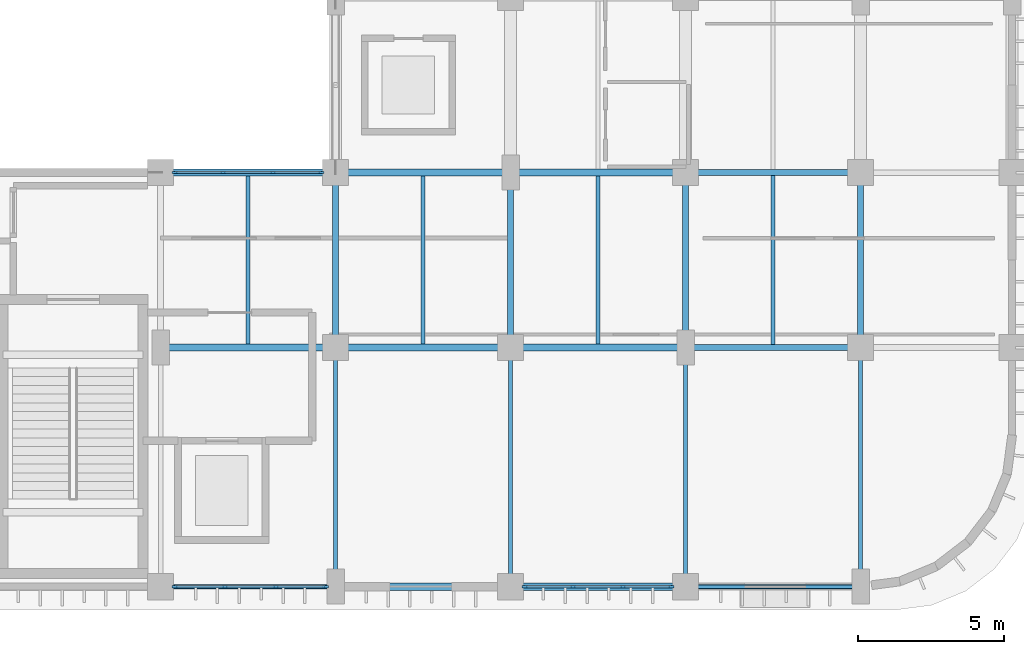
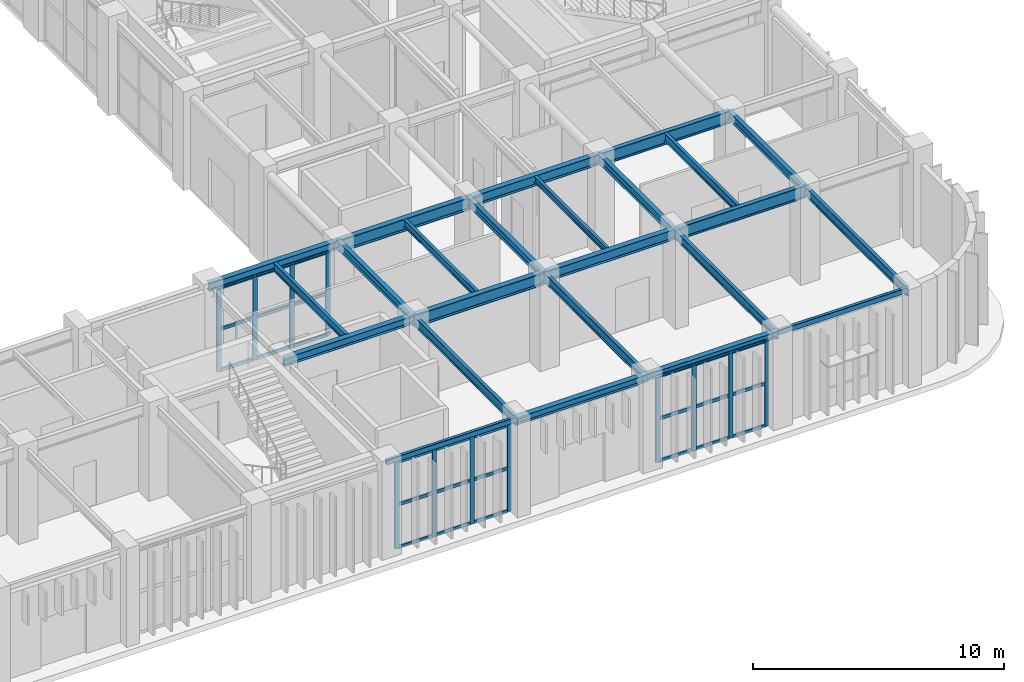
# One storey, part 29 of 76: 39 members, 24 beams, 3 elements without a shape of their own.
"""IFC4 building model written with IfcOpenShell, lengths in metres."""

from ifc_helpers import new_model, si_unit, direction, frame, origin, origin_2d, place, context, subcontext, project, spatial, rectangle, hollow_rectangle, i_section, extrude, material, material_profile, profile_set, type_object, element, aggregate, save


model = new_model("IFC4")

# Units and contexts
model_context = context("Model", 3, precision=1e-05, world=origin(), true_north=direction((0.0, 1.0)))
body_context = subcontext(model_context, "Body", "Model", "MODEL_VIEW")
ifc_project = project(units=[si_unit("LENGTHUNIT", "METRE"), si_unit("AREAUNIT", "SQUARE_METRE"), si_unit("VOLUMEUNIT", "CUBIC_METRE"), si_unit("PLANEANGLEUNIT", "RADIAN"), si_unit("MASSUNIT", "GRAM", prefix="KILO")], contexts=[model_context])

# Site, building, storey
site_placement = place(None, origin())
site = spatial("IfcSite", under=ifc_project, at=site_placement, CompositionType="ELEMENT")
building_placement = place(site_placement, origin())
building = spatial("IfcBuilding", under=site, at=building_placement, Name="Varnakota Square Police Headquarters", CompositionType="ELEMENT")
storey_placement = place(building_placement, origin())
storey = spatial("IfcBuildingStorey", under=building, at=storey_placement, Name="L00", CompositionType="ELEMENT", Elevation=0.0)

# Beams
ifc_material_1 = material(Name="Steel IS 2062 Grade 350", Category="steel")
ifc_material_profile_1 = material_profile(ifc_material_1, hollow_rectangle(XDim=0.14990234375, YDim=0.25, WallThickness=0.010009765625, InnerFilletRadius=0.010009765625, OuterFilletRadius=0.02001953125, at=origin_2d()), Name="RHS 250x150x10")
ifc_profile_set_1 = profile_set([ifc_material_profile_1], Name="Steel IS 2062 Grade 350")
beam_type_1 = type_object("IfcBeamType", Name="BM-CBEAM-RHS250", PredefinedType="BEAM", material=ifc_profile_set_1)
for number, where, z_axis, x_axis, name in (
    (1, (132.0, 0.800048828125, 4.375), (1.0, 0.0, 0.0), (0.0, 1.0, 0.0), "BMG-L00-0689"),
    (2, (150.0, 0.800048828125, 4.375), (1.0, 0.0, 0.0), (0.0, 1.0, 0.0), "BMG-L00-0692"),
):
    element("IfcBeam", number, at=place(storey_placement, frame(where, z_axis=z_axis, x_axis=x_axis)), inside=storey, type_object=beam_type_1, Name=name, PredefinedType="BEAM", context=body_context, shape_type="SweptSolid", body=[
        extrude(hollow_rectangle(XDim=0.14990234375, YDim=0.25, WallThickness=0.010009765625, InnerFilletRadius=0.010009765625, OuterFilletRadius=0.02001953125, at=origin_2d()), origin(), (0.0, 0.0, 1.0), 6.0),
    ])
ifc_material_profile_2 = material_profile(ifc_material_1, i_section(OverallWidth=0.25, OverallDepth=0.300048828125, WebThickness=0.009521484375, FlangeThickness=0.010498046875, FilletRadius=0.011962890625, at=origin_2d()), Name="ISHB 300")
ifc_profile_set_2 = profile_set([ifc_material_profile_2], Name="Steel IS 2062 Grade 350")
beam_type_2 = type_object("IfcBeamType", Name="BM-ISHB300", PredefinedType="BEAM", material=ifc_profile_set_2)
beam_1_placement = place(storey_placement, frame((144.0, 0.800048828125, 4.35009765625), z_axis=(1.0, 0.0, 0.0), x_axis=(0.0, 1.0, 0.0)))
element("IfcBeam", 3, at=beam_1_placement, inside=storey, type_object=beam_type_2, Name="BMG-L00-0691", PredefinedType="BEAM", context=body_context, shape_type="SweptSolid", body=[
    extrude(i_section(OverallWidth=0.25, OverallDepth=0.300048828125, WebThickness=0.009521484375, FlangeThickness=0.010498046875, FilletRadius=0.011962890625, at=origin_2d()), origin(), (0.0, 0.0, 1.0), 6.0),
])
ifc_material_profile_3 = material_profile(ifc_material_1, i_section(OverallWidth=0.25, OverallDepth=0.35009765625, WebThickness=0.010009765625, FlangeThickness=0.01171875, FilletRadius=0.011962890625, at=origin_2d()), Name="ISHB 350")
ifc_profile_set_3 = profile_set([ifc_material_profile_3], Name="Steel IS 2062 Grade 350")
beam_type_3 = type_object("IfcBeamType", Name="BM-ISHB350", PredefinedType="BEAM", material=ifc_profile_set_3)
beam_2_placement = place(storey_placement, frame((138.0, 0.800048828125, 4.324951171875), z_axis=(1.0, 0.0, 0.0), x_axis=(0.0, 1.0, 0.0)))
element("IfcBeam", 4, at=beam_2_placement, inside=storey, type_object=beam_type_3, Name="BMG-L00-0690", PredefinedType="BEAM", context=body_context, shape_type="SweptSolid", body=[
    extrude(i_section(OverallWidth=0.25, OverallDepth=0.35009765625, WebThickness=0.010009765625, FlangeThickness=0.01171875, FilletRadius=0.011962890625, at=origin_2d()), origin(), (0.0, 0.0, 1.0), 6.0),
])
ifc_material_profile_4 = material_profile(ifc_material_1, i_section(OverallWidth=0.25, OverallDepth=0.39990234375, WebThickness=0.010498046875, FlangeThickness=0.0126953125, FilletRadius=0.013916015625, at=origin_2d()), Name="ISHB 400")
ifc_profile_set_4 = profile_set([ifc_material_profile_4], Name="Steel IS 2062 Grade 350")
beam_type_4 = type_object("IfcBeamType", Name="BM-ISHB400", PredefinedType="BEAM", material=ifc_profile_set_4)
for number, where, z_axis, x_axis, name in (
    (5, (132.0, 9.0, 4.300048828125), (1.0, 0.0, 0.0), (0.0, 1.0, 0.0), "BMG-L00-0721"),
    (6, (132.0, 15.0, 4.300048828125), (1.0, 0.0, 0.0), (0.0, 1.0, 0.0), "BMG-L00-0738"),
):
    element("IfcBeam", number, at=place(storey_placement, frame(where, z_axis=z_axis, x_axis=x_axis)), inside=storey, type_object=beam_type_4, Name=name, PredefinedType="BEAM", context=body_context, shape_type="SweptSolid", body=[
        extrude(i_section(OverallWidth=0.25, OverallDepth=0.39990234375, WebThickness=0.010498046875, FlangeThickness=0.0126953125, FilletRadius=0.013916015625, at=origin_2d()), origin(), (0.0, 0.0, 1.0), 6.0),
    ])
ifc_material_profile_5 = material_profile(ifc_material_1, i_section(OverallWidth=0.139892578125, OverallDepth=0.300048828125, WebThickness=0.0078125, FlangeThickness=0.01318359375, FilletRadius=0.013916015625, at=origin_2d()), Name="ISMB 300")
ifc_profile_set_5 = profile_set([ifc_material_profile_5], Name="Steel IS 2062 Grade 350")
beam_type_5 = type_object("IfcBeamType", Name="BM-ISMB300", PredefinedType="JOIST", material=ifc_profile_set_5)
beam_3_placement = place(storey_placement, frame((147.0, 9.123046875, 4.35009765625), z_axis=(0.0, 1.0, 0.0), x_axis=(-1.0, 0.0, 0.0)))
element("IfcBeam", 7, at=beam_3_placement, inside=storey, type_object=beam_type_5, Name="BMG-L00-1288", PredefinedType="JOIST", context=body_context, shape_type="SweptSolid", body=[
    extrude(i_section(OverallWidth=0.139892578125, OverallDepth=0.300048828125, WebThickness=0.0078125, FlangeThickness=0.01318359375, FilletRadius=0.013916015625, at=origin_2d()), origin(), (0.0, 0.0, 1.0), 5.75390625),
])
ifc_material_profile_6 = material_profile(ifc_material_1, i_section(OverallWidth=0.139892578125, OverallDepth=0.35009765625, WebThickness=0.008056640625, FlangeThickness=0.01416015625, FilletRadius=0.013916015625, at=origin_2d()), Name="ISMB 350")
ifc_profile_set_6 = profile_set([ifc_material_profile_6], Name="Steel IS 2062 Grade 350")
beam_type_6 = type_object("IfcBeamType", Name="BM-ISMB350", PredefinedType="JOIST", material=ifc_profile_set_6)
beam_4_placement = place(storey_placement, frame((141.0, 9.123046875, 4.324951171875), z_axis=(0.0, 1.0, 0.0), x_axis=(-1.0, 0.0, 0.0)))
element("IfcBeam", 8, at=beam_4_placement, inside=storey, type_object=beam_type_6, Name="BMG-L00-1279", PredefinedType="JOIST", context=body_context, shape_type="SweptSolid", body=[
    extrude(i_section(OverallWidth=0.139892578125, OverallDepth=0.35009765625, WebThickness=0.008056640625, FlangeThickness=0.01416015625, FilletRadius=0.013916015625, at=origin_2d()), origin(), (0.0, 0.0, 1.0), 5.75390625),
])
ifc_material_profile_7 = material_profile(ifc_material_1, i_section(OverallWidth=0.139892578125, OverallDepth=0.39990234375, WebThickness=0.0087890625, FlangeThickness=0.01611328125, FilletRadius=0.013916015625, at=origin_2d()), Name="ISMB 400")
ifc_profile_set_7 = profile_set([ifc_material_profile_7], Name="Steel IS 2062 Grade 350")
beam_type_7 = type_object("IfcBeamType", Name="BM-ISMB400", PredefinedType="JOIST", material=ifc_profile_set_7)
beam_5_placement = place(storey_placement, frame((135.0, 9.123046875, 4.300048828125), z_axis=(0.0, 1.0, 0.0), x_axis=(-1.0, 0.0, 0.0)))
element("IfcBeam", 9, at=beam_5_placement, inside=storey, type_object=beam_type_7, Name="BMG-L00-1273", PredefinedType="JOIST", context=body_context, shape_type="SweptSolid", body=[
    extrude(i_section(OverallWidth=0.139892578125, OverallDepth=0.39990234375, WebThickness=0.0087890625, FlangeThickness=0.01611328125, FilletRadius=0.013916015625, at=origin_2d()), origin(), (0.0, 0.0, 1.0), 5.75390625),
])
beam_6_placement = place(storey_placement, frame((153.0, 9.10302734375, 4.300048828125), z_axis=(0.0, 1.0, 0.0), x_axis=(-1.0, 0.0, 0.0)))
element("IfcBeam", 10, at=beam_6_placement, inside=storey, type_object=beam_type_7, Name="BMG-L00-1298", PredefinedType="JOIST", context=body_context, shape_type="SweptSolid", body=[
    extrude(i_section(OverallWidth=0.139892578125, OverallDepth=0.39990234375, WebThickness=0.0087890625, FlangeThickness=0.01611328125, FilletRadius=0.013916015625, at=origin_2d()), origin(), (0.0, 0.0, 1.0), 5.7939453125),
])
ifc_material_profile_8 = material_profile(ifc_material_1, i_section(OverallWidth=0.14990234375, OverallDepth=0.449951171875, WebThickness=0.009521484375, FlangeThickness=0.017333984375, FilletRadius=0.014892578125, at=origin_2d()), Name="ISMB 450")
ifc_profile_set_8 = profile_set([ifc_material_profile_8], Name="Steel IS 2062 Grade 350")
beam_type_8 = type_object("IfcBeamType", Name="BM-ISMB450", PredefinedType="BEAM", material=ifc_profile_set_8)
for number, where, z_axis, x_axis, name in (
    (11, (138.0, 0.800048828125, 4.27490234375), (0.0, 1.0, 0.0), (-1.0, 0.0, 0.0), "BMG-L00-1117"),
    (12, (144.0, 0.800048828125, 4.27490234375), (0.0, 1.0, 0.0), (-1.0, 0.0, 0.0), "BMG-L00-1131"),
    (13, (150.0, 0.800048828125, 4.27490234375), (0.0, 1.0, 0.0), (-1.0, 0.0, 0.0), "BMG-L00-1145"),
    (14, (156.0, 0.800048828125, 4.27490234375), (0.0, 1.0, 0.0), (-1.0, 0.0, 0.0), "BMG-L00-1156"),
):
    element("IfcBeam", number, at=place(storey_placement, frame(where, z_axis=z_axis, x_axis=x_axis)), inside=storey, type_object=beam_type_8, Name=name, PredefinedType="BEAM", context=body_context, shape_type="SweptSolid", body=[
        extrude(i_section(OverallWidth=0.14990234375, OverallDepth=0.449951171875, WebThickness=0.009521484375, FlangeThickness=0.017333984375, FilletRadius=0.014892578125, at=origin_2d()), origin(), (0.0, 0.0, 1.0), 8.199951171875),
    ])
ifc_material_profile_9 = material_profile(ifc_material_1, i_section(OverallWidth=0.2099609375, OverallDepth=0.60009765625, WebThickness=0.011962890625, FlangeThickness=0.020751953125, FilletRadius=0.02001953125, at=origin_2d()), Name="ISMB 600")
ifc_profile_set_9 = profile_set([ifc_material_profile_9], Name="Steel IS 2062 Grade 350")
beam_type_9 = type_object("IfcBeamType", Name="BM-ISMB600", PredefinedType="BEAM", material=ifc_profile_set_9)
for number, where, z_axis, x_axis, name in (
    (15, (150.0, 9.0, 4.199951171875), (1.0, 0.0, 0.0), (0.0, 1.0, 0.0), "BMG-L00-0724"),
    (16, (150.0, 15.0, 4.199951171875), (1.0, 0.0, 0.0), (0.0, 1.0, 0.0), "BMG-L00-0741"),
):
    element("IfcBeam", number, at=place(storey_placement, frame(where, z_axis=z_axis, x_axis=x_axis)), inside=storey, type_object=beam_type_9, Name=name, PredefinedType="BEAM", context=body_context, shape_type="SweptSolid", body=[
        extrude(i_section(OverallWidth=0.2099609375, OverallDepth=0.60009765625, WebThickness=0.011962890625, FlangeThickness=0.020751953125, FilletRadius=0.02001953125, at=origin_2d()), origin(), (0.0, 0.0, 1.0), 6.0),
    ])
ifc_material_profile_10 = material_profile(ifc_material_1, i_section(OverallWidth=0.199951171875, OverallDepth=0.39990234375, WebThickness=0.008544921875, FlangeThickness=0.012939453125, FilletRadius=0.012939453125, at=origin_2d()), Name="ISWB 400")
ifc_profile_set_10 = profile_set([ifc_material_profile_10], Name="Steel IS 2062 Grade 350")
beam_type_10 = type_object("IfcBeamType", Name="BM-ISWB400", PredefinedType="BEAM", material=ifc_profile_set_10)
for number, where, z_axis, x_axis, name in (
    (17, (138.0, 9.0, 4.300048828125), (0.0, 1.0, 0.0), (-1.0, 0.0, 0.0), "BMG-L00-1118"),
    (18, (144.0, 9.0, 4.300048828125), (0.0, 1.0, 0.0), (-1.0, 0.0, 0.0), "BMG-L00-1132"),
    (19, (150.0, 9.0, 4.300048828125), (0.0, 1.0, 0.0), (-1.0, 0.0, 0.0), "BMG-L00-1146"),
    (20, (156.0, 9.0, 4.300048828125), (0.0, 1.0, 0.0), (-1.0, 0.0, 0.0), "BMG-L00-1157"),
):
    element("IfcBeam", number, at=place(storey_placement, frame(where, z_axis=z_axis, x_axis=x_axis)), inside=storey, type_object=beam_type_10, Name=name, PredefinedType="BEAM", context=body_context, shape_type="SweptSolid", body=[
        extrude(i_section(OverallWidth=0.199951171875, OverallDepth=0.39990234375, WebThickness=0.008544921875, FlangeThickness=0.012939453125, FilletRadius=0.012939453125, at=origin_2d()), origin(), (0.0, 0.0, 1.0), 6.0),
    ])
ifc_material_profile_11 = material_profile(ifc_material_1, i_section(OverallWidth=0.25, OverallDepth=0.5, WebThickness=0.010009765625, FlangeThickness=0.0146484375, FilletRadius=0.014892578125, at=origin_2d()), Name="ISWB 500")
ifc_profile_set_11 = profile_set([ifc_material_profile_11], Name="Steel IS 2062 Grade 350")
beam_type_11 = type_object("IfcBeamType", Name="BM-ISWB500", PredefinedType="BEAM", material=ifc_profile_set_11)
for number, where, z_axis, x_axis, name in (
    (21, (144.0, 9.0, 4.25), (1.0, 0.0, 0.0), (0.0, 1.0, 0.0), "BMG-L00-0723"),
    (22, (144.0, 15.0, 4.25), (1.0, 0.0, 0.0), (0.0, 1.0, 0.0), "BMG-L00-0740"),
):
    element("IfcBeam", number, at=place(storey_placement, frame(where, z_axis=z_axis, x_axis=x_axis)), inside=storey, type_object=beam_type_11, Name=name, PredefinedType="BEAM", context=body_context, shape_type="SweptSolid", body=[
        extrude(i_section(OverallWidth=0.25, OverallDepth=0.5, WebThickness=0.010009765625, FlangeThickness=0.0146484375, FilletRadius=0.014892578125, at=origin_2d()), origin(), (0.0, 0.0, 1.0), 6.0),
    ])
ifc_material_profile_12 = material_profile(ifc_material_1, i_section(OverallWidth=0.25, OverallDepth=0.60009765625, WebThickness=0.01171875, FlangeThickness=0.023681640625, FilletRadius=0.01708984375, at=origin_2d()), Name="ISWB 600")
ifc_profile_set_12 = profile_set([ifc_material_profile_12], Name="Steel IS 2062 Grade 350")
beam_type_12 = type_object("IfcBeamType", Name="BM-ISWB600", PredefinedType="BEAM", material=ifc_profile_set_12)
for number, where, z_axis, x_axis, name in (
    (23, (138.0, 9.0, 4.199951171875), (1.0, 0.0, 0.0), (0.0, 1.0, 0.0), "BMG-L00-0722"),
    (24, (138.0, 15.0, 4.199951171875), (1.0, 0.0, 0.0), (0.0, 1.0, 0.0), "BMG-L00-0739"),
):
    element("IfcBeam", number, at=place(storey_placement, frame(where, z_axis=z_axis, x_axis=x_axis)), inside=storey, type_object=beam_type_12, Name=name, PredefinedType="BEAM", context=body_context, shape_type="SweptSolid", body=[
        extrude(i_section(OverallWidth=0.25, OverallDepth=0.60009765625, WebThickness=0.01171875, FlangeThickness=0.023681640625, FilletRadius=0.01708984375, at=origin_2d()), origin(), (0.0, 0.0, 1.0), 6.0),
    ])

# Curtain wall, members
ifc_material_2 = material(Name="Anodised Aluminium Framing", Category="aluminium")
curtain_wall_type_1 = type_object("IfcCurtainWallType", Name="CW-SYS-B", PredefinedType="NOTDEFINED", material=ifc_material_2)
curtain_wall_1_placement = place(storey_placement, origin())
curtain_wall_1 = element("IfcCurtainWall", 25, at=curtain_wall_1_placement, inside=storey, type_object=curtain_wall_type_1, Name="Unitised curtain wall CWG-L00-047", PredefinedType="NOTDEFINED")
ifc_material_3 = material(Name="Anodised Aluminium 6063-T6", Category="aluminium")
ifc_material_profile_13 = material_profile(ifc_material_3, rectangle(XDim=0.074951171875, YDim=0.199951171875, at=origin_2d()), Name="ALU MULLION 75x200")
ifc_profile_set_13 = profile_set([ifc_material_profile_13], Name="Anodised Aluminium 6063-T6")
member_type_1 = type_object("IfcMemberType", Name="CWM-180", PredefinedType="MULLION", material=ifc_profile_set_13)
member_1_placement = place(storey_placement, frame((132.492431640625, 0.800048828125, 0.0), z_axis=(0.0, 0.0, 1.0), x_axis=(0.0, 1.0, 0.0)))
member_1 = element("IfcMember", 26, at=member_1_placement, type_object=member_type_1, Name="CWG-L00-047 mullion 1", PredefinedType="MULLION", context=body_context, shape_type="SweptSolid", body=[
    extrude(rectangle(XDim=0.074951171875, YDim=0.199951171875, at=origin_2d()), origin(), (0.0, 0.0, 1.0), 4.239990234375),
])
member_2_placement = place(storey_placement, frame((134.20166015625, 0.800048828125, 0.0), z_axis=(0.0, 0.0, 1.0), x_axis=(0.0, 1.0, 0.0)))
member_2 = element("IfcMember", 27, at=member_2_placement, type_object=member_type_1, Name="CWG-L00-047 mullion 2", PredefinedType="MULLION", context=body_context, shape_type="SweptSolid", body=[
    extrude(rectangle(XDim=0.074951171875, YDim=0.199951171875, at=origin_2d()), origin(), (0.0, 0.0, 1.0), 4.239990234375),
])
member_3_placement = place(storey_placement, frame((135.9482421875, 0.800048828125, 0.0), z_axis=(0.0, 0.0, 1.0), x_axis=(0.0, 1.0, 0.0)))
member_3 = element("IfcMember", 28, at=member_3_placement, type_object=member_type_1, Name="CWG-L00-047 mullion 3", PredefinedType="MULLION", context=body_context, shape_type="SweptSolid", body=[
    extrude(rectangle(XDim=0.074951171875, YDim=0.199951171875, at=origin_2d()), origin(), (0.0, 0.0, 1.0), 4.239990234375),
])
member_4_placement = place(storey_placement, frame((137.657470703125, 0.800048828125, 0.0), z_axis=(0.0, 0.0, 1.0), x_axis=(0.0, 1.0, 0.0)))
member_4 = element("IfcMember", 29, at=member_4_placement, type_object=member_type_1, Name="CWG-L00-047 mullion 4", PredefinedType="MULLION", context=body_context, shape_type="SweptSolid", body=[
    extrude(rectangle(XDim=0.074951171875, YDim=0.199951171875, at=origin_2d()), origin(), (0.0, 0.0, 1.0), 4.239990234375),
])

curtain_wall_2_placement = place(storey_placement, origin())
curtain_wall_2 = element("IfcCurtainWall", 30, at=curtain_wall_2_placement, inside=storey, type_object=curtain_wall_type_1, Name="Unitised curtain wall CWG-L00-048", PredefinedType="NOTDEFINED")
member_5_placement = place(storey_placement, frame((144.492431640625, 0.800048828125, 0.0), z_axis=(0.0, 0.0, 1.0), x_axis=(0.0, 1.0, 0.0)))
member_5 = element("IfcMember", 31, at=member_5_placement, type_object=member_type_1, Name="CWG-L00-048 mullion 1", PredefinedType="MULLION", context=body_context, shape_type="SweptSolid", body=[
    extrude(rectangle(XDim=0.074951171875, YDim=0.199951171875, at=origin_2d()), origin(), (0.0, 0.0, 1.0), 4.18994140625),
])
member_6_placement = place(storey_placement, frame((146.151611328125, 0.800048828125, 0.0), z_axis=(0.0, 0.0, 1.0), x_axis=(0.0, 1.0, 0.0)))
member_6 = element("IfcMember", 32, at=member_6_placement, type_object=member_type_1, Name="CWG-L00-048 mullion 2", PredefinedType="MULLION", context=body_context, shape_type="SweptSolid", body=[
    extrude(rectangle(XDim=0.074951171875, YDim=0.199951171875, at=origin_2d()), origin(), (0.0, 0.0, 1.0), 4.18994140625),
])
member_7_placement = place(storey_placement, frame((147.848388671875, 0.800048828125, 0.0), z_axis=(0.0, 0.0, 1.0), x_axis=(0.0, 1.0, 0.0)))
member_7 = element("IfcMember", 33, at=member_7_placement, type_object=member_type_1, Name="CWG-L00-048 mullion 3", PredefinedType="MULLION", context=body_context, shape_type="SweptSolid", body=[
    extrude(rectangle(XDim=0.074951171875, YDim=0.199951171875, at=origin_2d()), origin(), (0.0, 0.0, 1.0), 4.18994140625),
])
member_8_placement = place(storey_placement, frame((149.507568359375, 0.800048828125, 0.0), z_axis=(0.0, 0.0, 1.0), x_axis=(0.0, 1.0, 0.0)))
member_8 = element("IfcMember", 34, at=member_8_placement, type_object=member_type_1, Name="CWG-L00-048 mullion 4", PredefinedType="MULLION", context=body_context, shape_type="SweptSolid", body=[
    extrude(rectangle(XDim=0.074951171875, YDim=0.199951171875, at=origin_2d()), origin(), (0.0, 0.0, 1.0), 4.18994140625),
])

curtain_wall_type_2 = type_object("IfcCurtainWallType", Name="CW-SYS-D", PredefinedType="NOTDEFINED", material=ifc_material_2)
curtain_wall_3_placement = place(storey_placement, origin())
curtain_wall_3 = element("IfcCurtainWall", 35, at=curtain_wall_3_placement, inside=storey, type_object=curtain_wall_type_2, Name="Unitised curtain wall CWG-L00-051", PredefinedType="NOTDEFINED")
member_9_placement = place(storey_placement, frame((132.492431640625, 15.0, 0.0), z_axis=(0.0, 0.0, 1.0), x_axis=(0.0, 1.0, 0.0)))
member_9 = element("IfcMember", 36, at=member_9_placement, type_object=member_type_1, Name="CWG-L00-051 mullion 1", PredefinedType="MULLION", context=body_context, shape_type="SweptSolid", body=[
    extrude(rectangle(XDim=0.074951171875, YDim=0.199951171875, at=origin_2d()), origin(), (0.0, 0.0, 1.0), 4.090087890625),
])
member_10_placement = place(storey_placement, frame((134.151611328125, 15.0, 0.0), z_axis=(0.0, 0.0, 1.0), x_axis=(0.0, 1.0, 0.0)))
member_10 = element("IfcMember", 37, at=member_10_placement, type_object=member_type_1, Name="CWG-L00-051 mullion 2", PredefinedType="MULLION", context=body_context, shape_type="SweptSolid", body=[
    extrude(rectangle(XDim=0.074951171875, YDim=0.199951171875, at=origin_2d()), origin(), (0.0, 0.0, 1.0), 4.090087890625),
])
member_11_placement = place(storey_placement, frame((135.848388671875, 15.0, 0.0), z_axis=(0.0, 0.0, 1.0), x_axis=(0.0, 1.0, 0.0)))
member_11 = element("IfcMember", 38, at=member_11_placement, type_object=member_type_1, Name="CWG-L00-051 mullion 3", PredefinedType="MULLION", context=body_context, shape_type="SweptSolid", body=[
    extrude(rectangle(XDim=0.074951171875, YDim=0.199951171875, at=origin_2d()), origin(), (0.0, 0.0, 1.0), 4.090087890625),
])
member_12_placement = place(storey_placement, frame((137.507568359375, 15.0, 0.0), z_axis=(0.0, 0.0, 1.0), x_axis=(0.0, 1.0, 0.0)))
member_12 = element("IfcMember", 39, at=member_12_placement, type_object=member_type_1, Name="CWG-L00-051 mullion 4", PredefinedType="MULLION", context=body_context, shape_type="SweptSolid", body=[
    extrude(rectangle(XDim=0.074951171875, YDim=0.199951171875, at=origin_2d()), origin(), (0.0, 0.0, 1.0), 4.090087890625),
])

# Member
ifc_material_profile_14 = material_profile(ifc_material_3, rectangle(XDim=0.074951171875, YDim=0.159912109375, at=origin_2d()), Name="ALU TRANSOM 75x160")
ifc_profile_set_14 = profile_set([ifc_material_profile_14], Name="Anodised Aluminium 6063-T6")
member_type_2 = type_object("IfcMemberType", Name="CWT-150", PredefinedType="USERDEFINED", material=ifc_profile_set_14)
member_13_placement = place(storey_placement, frame((132.530029296875, 0.800048828125, 0.03759765625), z_axis=(1.0, 0.0, 0.0), x_axis=(0.0, 1.0, 0.0)))
member_13 = element("IfcMember", 40, at=member_13_placement, type_object=member_type_2, Name="CWG-L00-047 transom 1.1", ObjectType="TRANSOM", PredefinedType="USERDEFINED", context=body_context, shape_type="SweptSolid", body=[
    extrude(rectangle(XDim=0.074951171875, YDim=0.159912109375, at=origin_2d()), origin(), (0.0, 0.0, 1.0), 1.634033203125),
])

member_14_placement = place(storey_placement, frame((132.530029296875, 0.800048828125, 2.1201171875), z_axis=(1.0, 0.0, 0.0), x_axis=(0.0, 1.0, 0.0)))
member_14 = element("IfcMember", 41, at=member_14_placement, type_object=member_type_2, Name="CWG-L00-047 transom 1.2", ObjectType="TRANSOM", PredefinedType="USERDEFINED", context=body_context, shape_type="SweptSolid", body=[
    extrude(rectangle(XDim=0.074951171875, YDim=0.159912109375, at=origin_2d()), origin(), (0.0, 0.0, 1.0), 1.634033203125),
])

member_15_placement = place(storey_placement, frame((132.530029296875, 0.800048828125, 4.202392578125), z_axis=(1.0, 0.0, 0.0), x_axis=(0.0, 1.0, 0.0)))
member_15 = element("IfcMember", 42, at=member_15_placement, type_object=member_type_2, Name="CWG-L00-047 transom 1.3", ObjectType="TRANSOM", PredefinedType="USERDEFINED", context=body_context, shape_type="SweptSolid", body=[
    extrude(rectangle(XDim=0.074951171875, YDim=0.159912109375, at=origin_2d()), origin(), (0.0, 0.0, 1.0), 1.634033203125),
])

member_16_placement = place(storey_placement, frame((134.2392578125, 0.800048828125, 0.03759765625), z_axis=(1.0, 0.0, 0.0), x_axis=(0.0, 1.0, 0.0)))
member_16 = element("IfcMember", 43, at=member_16_placement, type_object=member_type_2, Name="CWG-L00-047 transom 2.1", ObjectType="TRANSOM", PredefinedType="USERDEFINED", context=body_context, shape_type="SweptSolid", body=[
    extrude(rectangle(XDim=0.074951171875, YDim=0.159912109375, at=origin_2d()), origin(), (0.0, 0.0, 1.0), 1.671630859375),
])

member_17_placement = place(storey_placement, frame((134.2392578125, 0.800048828125, 2.1201171875), z_axis=(1.0, 0.0, 0.0), x_axis=(0.0, 1.0, 0.0)))
member_17 = element("IfcMember", 44, at=member_17_placement, type_object=member_type_2, Name="CWG-L00-047 transom 2.2", ObjectType="TRANSOM", PredefinedType="USERDEFINED", context=body_context, shape_type="SweptSolid", body=[
    extrude(rectangle(XDim=0.074951171875, YDim=0.159912109375, at=origin_2d()), origin(), (0.0, 0.0, 1.0), 1.671630859375),
])

member_18_placement = place(storey_placement, frame((134.2392578125, 0.800048828125, 4.202392578125), z_axis=(1.0, 0.0, 0.0), x_axis=(0.0, 1.0, 0.0)))
member_18 = element("IfcMember", 45, at=member_18_placement, type_object=member_type_2, Name="CWG-L00-047 transom 2.3", ObjectType="TRANSOM", PredefinedType="USERDEFINED", context=body_context, shape_type="SweptSolid", body=[
    extrude(rectangle(XDim=0.074951171875, YDim=0.159912109375, at=origin_2d()), origin(), (0.0, 0.0, 1.0), 1.671630859375),
])

member_19_placement = place(storey_placement, frame((135.98583984375, 0.800048828125, 0.03759765625), z_axis=(1.0, 0.0, 0.0), x_axis=(0.0, 1.0, 0.0)))
member_19 = element("IfcMember", 46, at=member_19_placement, type_object=member_type_2, Name="CWG-L00-047 transom 3.1", ObjectType="TRANSOM", PredefinedType="USERDEFINED", context=body_context, shape_type="SweptSolid", body=[
    extrude(rectangle(XDim=0.074951171875, YDim=0.159912109375, at=origin_2d()), origin(), (0.0, 0.0, 1.0), 1.63427734375),
])

member_20_placement = place(storey_placement, frame((135.98583984375, 0.800048828125, 2.1201171875), z_axis=(1.0, 0.0, 0.0), x_axis=(0.0, 1.0, 0.0)))
member_20 = element("IfcMember", 47, at=member_20_placement, type_object=member_type_2, Name="CWG-L00-047 transom 3.2", ObjectType="TRANSOM", PredefinedType="USERDEFINED", context=body_context, shape_type="SweptSolid", body=[
    extrude(rectangle(XDim=0.074951171875, YDim=0.159912109375, at=origin_2d()), origin(), (0.0, 0.0, 1.0), 1.63427734375),
])

member_21_placement = place(storey_placement, frame((135.98583984375, 0.800048828125, 4.202392578125), z_axis=(1.0, 0.0, 0.0), x_axis=(0.0, 1.0, 0.0)))
member_21 = element("IfcMember", 48, at=member_21_placement, type_object=member_type_2, Name="CWG-L00-047 transom 3.3", ObjectType="TRANSOM", PredefinedType="USERDEFINED", context=body_context, shape_type="SweptSolid", body=[
    extrude(rectangle(XDim=0.074951171875, YDim=0.159912109375, at=origin_2d()), origin(), (0.0, 0.0, 1.0), 1.63427734375),
])

aggregate(curtain_wall_1, [member_1, member_2, member_3, member_4, member_13, member_14, member_15, member_16, member_17, member_18, member_19, member_20, member_21])

member_22_placement = place(storey_placement, frame((144.530029296875, 0.800048828125, 0.03759765625), z_axis=(1.0, 0.0, 0.0), x_axis=(0.0, 1.0, 0.0)))
member_22 = element("IfcMember", 49, at=member_22_placement, type_object=member_type_2, Name="CWG-L00-048 transom 1.1", ObjectType="TRANSOM", PredefinedType="USERDEFINED", context=body_context, shape_type="SweptSolid", body=[
    extrude(rectangle(XDim=0.074951171875, YDim=0.159912109375, at=origin_2d()), origin(), (0.0, 0.0, 1.0), 1.584228515625),
])

member_23_placement = place(storey_placement, frame((144.530029296875, 0.800048828125, 2.094970703125), z_axis=(1.0, 0.0, 0.0), x_axis=(0.0, 1.0, 0.0)))
member_23 = element("IfcMember", 50, at=member_23_placement, type_object=member_type_2, Name="CWG-L00-048 transom 1.2", ObjectType="TRANSOM", PredefinedType="USERDEFINED", context=body_context, shape_type="SweptSolid", body=[
    extrude(rectangle(XDim=0.074951171875, YDim=0.159912109375, at=origin_2d()), origin(), (0.0, 0.0, 1.0), 1.584228515625),
])

member_24_placement = place(storey_placement, frame((144.530029296875, 0.800048828125, 4.152587890625), z_axis=(1.0, 0.0, 0.0), x_axis=(0.0, 1.0, 0.0)))
member_24 = element("IfcMember", 51, at=member_24_placement, type_object=member_type_2, Name="CWG-L00-048 transom 1.3", ObjectType="TRANSOM", PredefinedType="USERDEFINED", context=body_context, shape_type="SweptSolid", body=[
    extrude(rectangle(XDim=0.074951171875, YDim=0.159912109375, at=origin_2d()), origin(), (0.0, 0.0, 1.0), 1.584228515625),
])

member_25_placement = place(storey_placement, frame((146.189208984375, 0.800048828125, 0.03759765625), z_axis=(1.0, 0.0, 0.0), x_axis=(0.0, 1.0, 0.0)))
member_25 = element("IfcMember", 52, at=member_25_placement, type_object=member_type_2, Name="CWG-L00-048 transom 2.1", ObjectType="TRANSOM", PredefinedType="USERDEFINED", context=body_context, shape_type="SweptSolid", body=[
    extrude(rectangle(XDim=0.074951171875, YDim=0.159912109375, at=origin_2d()), origin(), (0.0, 0.0, 1.0), 1.62158203125),
])

member_26_placement = place(storey_placement, frame((146.189208984375, 0.800048828125, 2.094970703125), z_axis=(1.0, 0.0, 0.0), x_axis=(0.0, 1.0, 0.0)))
member_26 = element("IfcMember", 53, at=member_26_placement, type_object=member_type_2, Name="CWG-L00-048 transom 2.2", ObjectType="TRANSOM", PredefinedType="USERDEFINED", context=body_context, shape_type="SweptSolid", body=[
    extrude(rectangle(XDim=0.074951171875, YDim=0.159912109375, at=origin_2d()), origin(), (0.0, 0.0, 1.0), 1.62158203125),
])

member_27_placement = place(storey_placement, frame((146.189208984375, 0.800048828125, 4.152587890625), z_axis=(1.0, 0.0, 0.0), x_axis=(0.0, 1.0, 0.0)))
member_27 = element("IfcMember", 54, at=member_27_placement, type_object=member_type_2, Name="CWG-L00-048 transom 2.3", ObjectType="TRANSOM", PredefinedType="USERDEFINED", context=body_context, shape_type="SweptSolid", body=[
    extrude(rectangle(XDim=0.074951171875, YDim=0.159912109375, at=origin_2d()), origin(), (0.0, 0.0, 1.0), 1.62158203125),
])

member_28_placement = place(storey_placement, frame((147.8857421875, 0.800048828125, 0.03759765625), z_axis=(1.0, 0.0, 0.0), x_axis=(0.0, 1.0, 0.0)))
member_28 = element("IfcMember", 55, at=member_28_placement, type_object=member_type_2, Name="CWG-L00-048 transom 3.1", ObjectType="TRANSOM", PredefinedType="USERDEFINED", context=body_context, shape_type="SweptSolid", body=[
    extrude(rectangle(XDim=0.074951171875, YDim=0.159912109375, at=origin_2d()), origin(), (0.0, 0.0, 1.0), 1.584228515625),
])

member_29_placement = place(storey_placement, frame((147.8857421875, 0.800048828125, 2.094970703125), z_axis=(1.0, 0.0, 0.0), x_axis=(0.0, 1.0, 0.0)))
member_29 = element("IfcMember", 56, at=member_29_placement, type_object=member_type_2, Name="CWG-L00-048 transom 3.2", ObjectType="TRANSOM", PredefinedType="USERDEFINED", context=body_context, shape_type="SweptSolid", body=[
    extrude(rectangle(XDim=0.074951171875, YDim=0.159912109375, at=origin_2d()), origin(), (0.0, 0.0, 1.0), 1.584228515625),
])

member_30_placement = place(storey_placement, frame((147.8857421875, 0.800048828125, 4.152587890625), z_axis=(1.0, 0.0, 0.0), x_axis=(0.0, 1.0, 0.0)))
member_30 = element("IfcMember", 57, at=member_30_placement, type_object=member_type_2, Name="CWG-L00-048 transom 3.3", ObjectType="TRANSOM", PredefinedType="USERDEFINED", context=body_context, shape_type="SweptSolid", body=[
    extrude(rectangle(XDim=0.074951171875, YDim=0.159912109375, at=origin_2d()), origin(), (0.0, 0.0, 1.0), 1.584228515625),
])

aggregate(curtain_wall_2, [member_5, member_6, member_7, member_8, member_22, member_23, member_24, member_25, member_26, member_27, member_28, member_29, member_30])

member_31_placement = place(storey_placement, frame((132.530029296875, 15.0, 0.03759765625), z_axis=(1.0, 0.0, 0.0), x_axis=(0.0, 1.0, 0.0)))
member_31 = element("IfcMember", 58, at=member_31_placement, type_object=member_type_2, Name="CWG-L00-051 transom 1.1", ObjectType="TRANSOM", PredefinedType="USERDEFINED", context=body_context, shape_type="SweptSolid", body=[
    extrude(rectangle(XDim=0.074951171875, YDim=0.159912109375, at=origin_2d()), origin(), (0.0, 0.0, 1.0), 1.584228515625),
])

member_32_placement = place(storey_placement, frame((132.530029296875, 15.0, 2.044921875), z_axis=(1.0, 0.0, 0.0), x_axis=(0.0, 1.0, 0.0)))
member_32 = element("IfcMember", 59, at=member_32_placement, type_object=member_type_2, Name="CWG-L00-051 transom 1.2", ObjectType="TRANSOM", PredefinedType="USERDEFINED", context=body_context, shape_type="SweptSolid", body=[
    extrude(rectangle(XDim=0.074951171875, YDim=0.159912109375, at=origin_2d()), origin(), (0.0, 0.0, 1.0), 1.584228515625),
])

member_33_placement = place(storey_placement, frame((132.530029296875, 15.0, 4.052490234375), z_axis=(1.0, 0.0, 0.0), x_axis=(0.0, 1.0, 0.0)))
member_33 = element("IfcMember", 60, at=member_33_placement, type_object=member_type_2, Name="CWG-L00-051 transom 1.3", ObjectType="TRANSOM", PredefinedType="USERDEFINED", context=body_context, shape_type="SweptSolid", body=[
    extrude(rectangle(XDim=0.074951171875, YDim=0.159912109375, at=origin_2d()), origin(), (0.0, 0.0, 1.0), 1.584228515625),
])

member_34_placement = place(storey_placement, frame((134.189208984375, 15.0, 0.03759765625), z_axis=(1.0, 0.0, 0.0), x_axis=(0.0, 1.0, 0.0)))
member_34 = element("IfcMember", 61, at=member_34_placement, type_object=member_type_2, Name="CWG-L00-051 transom 2.1", ObjectType="TRANSOM", PredefinedType="USERDEFINED", context=body_context, shape_type="SweptSolid", body=[
    extrude(rectangle(XDim=0.074951171875, YDim=0.159912109375, at=origin_2d()), origin(), (0.0, 0.0, 1.0), 1.62158203125),
])

member_35_placement = place(storey_placement, frame((134.189208984375, 15.0, 2.044921875), z_axis=(1.0, 0.0, 0.0), x_axis=(0.0, 1.0, 0.0)))
member_35 = element("IfcMember", 62, at=member_35_placement, type_object=member_type_2, Name="CWG-L00-051 transom 2.2", ObjectType="TRANSOM", PredefinedType="USERDEFINED", context=body_context, shape_type="SweptSolid", body=[
    extrude(rectangle(XDim=0.074951171875, YDim=0.159912109375, at=origin_2d()), origin(), (0.0, 0.0, 1.0), 1.62158203125),
])

member_36_placement = place(storey_placement, frame((134.189208984375, 15.0, 4.052490234375), z_axis=(1.0, 0.0, 0.0), x_axis=(0.0, 1.0, 0.0)))
member_36 = element("IfcMember", 63, at=member_36_placement, type_object=member_type_2, Name="CWG-L00-051 transom 2.3", ObjectType="TRANSOM", PredefinedType="USERDEFINED", context=body_context, shape_type="SweptSolid", body=[
    extrude(rectangle(XDim=0.074951171875, YDim=0.159912109375, at=origin_2d()), origin(), (0.0, 0.0, 1.0), 1.62158203125),
])

member_37_placement = place(storey_placement, frame((135.8857421875, 15.0, 0.03759765625), z_axis=(1.0, 0.0, 0.0), x_axis=(0.0, 1.0, 0.0)))
member_37 = element("IfcMember", 64, at=member_37_placement, type_object=member_type_2, Name="CWG-L00-051 transom 3.1", ObjectType="TRANSOM", PredefinedType="USERDEFINED", context=body_context, shape_type="SweptSolid", body=[
    extrude(rectangle(XDim=0.074951171875, YDim=0.159912109375, at=origin_2d()), origin(), (0.0, 0.0, 1.0), 1.584228515625),
])

member_38_placement = place(storey_placement, frame((135.8857421875, 15.0, 2.044921875), z_axis=(1.0, 0.0, 0.0), x_axis=(0.0, 1.0, 0.0)))
member_38 = element("IfcMember", 65, at=member_38_placement, type_object=member_type_2, Name="CWG-L00-051 transom 3.2", ObjectType="TRANSOM", PredefinedType="USERDEFINED", context=body_context, shape_type="SweptSolid", body=[
    extrude(rectangle(XDim=0.074951171875, YDim=0.159912109375, at=origin_2d()), origin(), (0.0, 0.0, 1.0), 1.584228515625),
])

member_39_placement = place(storey_placement, frame((135.8857421875, 15.0, 4.052490234375), z_axis=(1.0, 0.0, 0.0), x_axis=(0.0, 1.0, 0.0)))
member_39 = element("IfcMember", 66, at=member_39_placement, type_object=member_type_2, Name="CWG-L00-051 transom 3.3", ObjectType="TRANSOM", PredefinedType="USERDEFINED", context=body_context, shape_type="SweptSolid", body=[
    extrude(rectangle(XDim=0.074951171875, YDim=0.159912109375, at=origin_2d()), origin(), (0.0, 0.0, 1.0), 1.584228515625),
])

aggregate(curtain_wall_3, [member_9, member_10, member_11, member_12, member_31, member_32, member_33, member_34, member_35, member_36, member_37, member_38, member_39])

save(model, "model.ifc")
